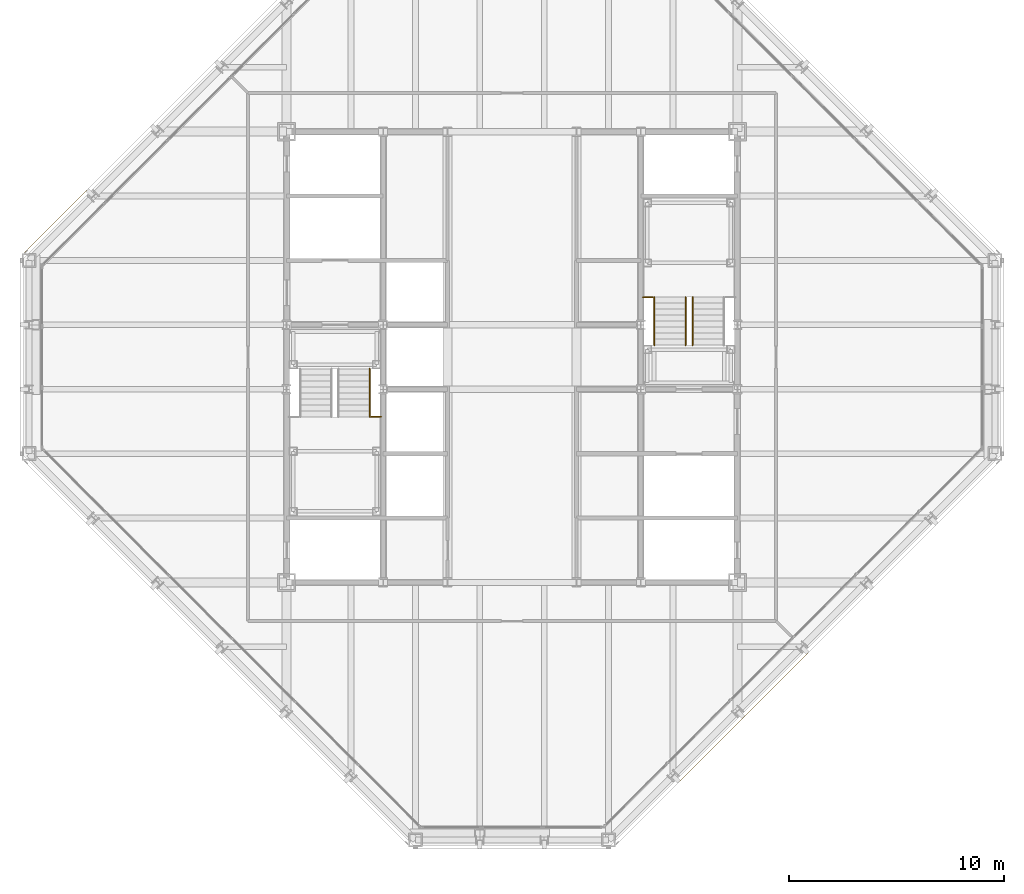
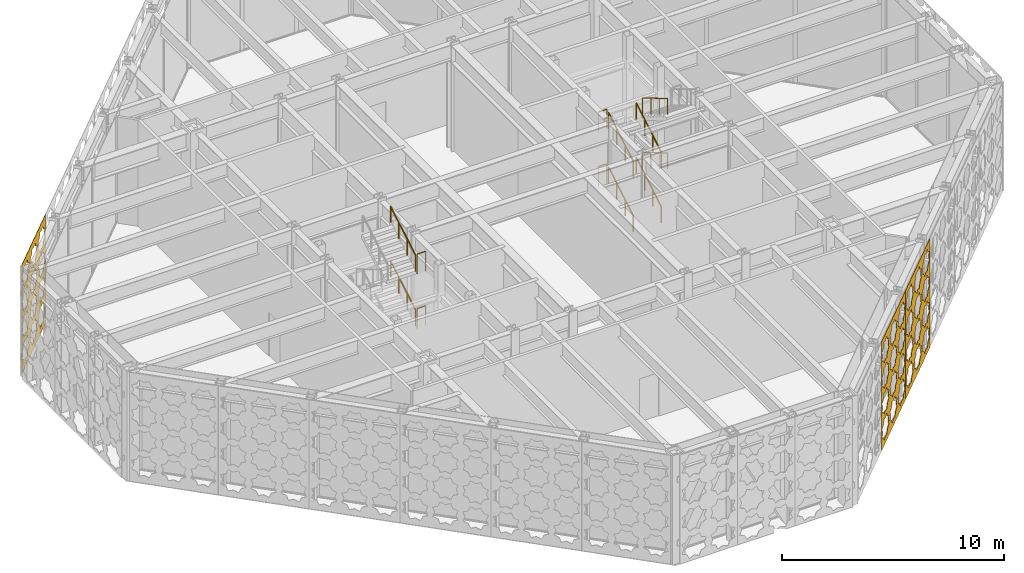
# One storey, part 23 of 28: 12 railings, 3 coverings.
"""IFC4 building model written with IfcOpenShell, lengths in metres."""

from ifc_helpers import new_model, si_unit, direction, frame, origin, origin_2d, place, context, subcontext, project, spatial, polyline, circle, outline, extrude, material, layer, layer_set, type_object, element, save


model = new_model("IFC4")

# Units and contexts
model_context = context("Model", 3, precision=1e-05, world=origin(), true_north=direction((0.0, 1.0)))
body_context = subcontext(model_context, "Body", "Model", "MODEL_VIEW")
ifc_project = project(units=[si_unit("LENGTHUNIT", "METRE"), si_unit("AREAUNIT", "SQUARE_METRE"), si_unit("VOLUMEUNIT", "CUBIC_METRE"), si_unit("PLANEANGLEUNIT", "RADIAN"), si_unit("MASSUNIT", "GRAM", prefix="KILO")], contexts=[model_context])

# Site, building, storey
site_placement = place(None, origin())
site = spatial("IfcSite", under=ifc_project, at=site_placement, CompositionType="ELEMENT")
building_placement = place(site_placement, origin())
building = spatial("IfcBuilding", under=site, at=building_placement, Name="Chuquiago Exchange Tower", CompositionType="ELEMENT")
storey_placement = place(building_placement, frame((0.0, 0.0, 300.0)))
storey = spatial("IfcBuildingStorey", under=building, at=storey_placement, Name="L67", CompositionType="ELEMENT", Elevation=300.0)

# Coverings
ifc_material_1 = material(Name="Anodised aluminium, pale", Category="aluminium")
ifc_layer_1 = layer(ifc_material_1, 0.02001953125)
ifc_layer_set_1 = layer_set([ifc_layer_1], Name="GC4 girih cladding panel 20")
covering_type_1 = type_object("IfcCoveringType", Name="GC4 girih cladding panel 20", PredefinedType="CLADDING", material=ifc_layer_set_1)
covering_1_placement = place(storey_placement, frame((30.286376953125, 2.720703125, 0.0048828125), z_axis=(0.0, 0.0, 1.0), x_axis=(0.707106781187, 0.707106781187, 0.0)))
element("IfcCovering", 1, at=covering_1_placement, inside=storey, type_object=covering_type_1, Name="Girih cladding panel L67 SE 2", PredefinedType="CLADDING", context=body_context, shape_type="SweptSolid", body=[
    extrude(outline(polyline([(0.0, 0.0), (4.232666015625, 0.0), (4.232666015625, 5.990234375), (0.0, 5.990234375), (0.0, 0.0)]), holes=[polyline([(1.2021484375, 0.878662109375), (1.304931640625, 1.127197265625), (1.056640625, 1.22998046875), (0.953857421875, 1.478271484375), (0.70556640625, 1.37548828125), (0.45703125, 1.478271484375), (0.354248046875, 1.22998046875), (0.10595703125, 1.127197265625), (0.208740234375, 0.878662109375), (0.10595703125, 0.63037109375), (0.354248046875, 0.527587890625), (0.45703125, 0.279296875), (0.705322265625, 0.382080078125), (0.953857421875, 0.279296875), (1.056640625, 0.527587890625), (1.304931640625, 0.63037109375), (1.2021484375, 0.878662109375)]), polyline([(2.613037109375, 0.878662109375), (2.7158203125, 1.127197265625), (2.467529296875, 1.22998046875), (2.36474609375, 1.478271484375), (2.116455078125, 1.37548828125), (1.867919921875, 1.478271484375), (1.76513671875, 1.22998046875), (1.516845703125, 1.127197265625), (1.61962890625, 0.878662109375), (1.516845703125, 0.63037109375), (1.76513671875, 0.527587890625), (1.867919921875, 0.279296875), (2.116455078125, 0.382080078125), (2.36474609375, 0.279296875), (2.467529296875, 0.527587890625), (2.7158203125, 0.63037109375), (2.613037109375, 0.878662109375)]), polyline([(4.02392578125, 0.878662109375), (4.126708984375, 1.127197265625), (3.87841796875, 1.22998046875), (3.775634765625, 1.478271484375), (3.527099609375, 1.37548828125), (3.27880859375, 1.478271484375), (3.176025390625, 1.22998046875), (2.927734375, 1.127197265625), (3.030517578125, 0.878662109375), (2.927734375, 0.63037109375), (3.176025390625, 0.527587890625), (3.27880859375, 0.279296875), (3.527099609375, 0.382080078125), (3.775634765625, 0.279296875), (3.87841796875, 0.527587890625), (4.126708984375, 0.63037109375), (4.02392578125, 0.878662109375)]), polyline([(1.2021484375, 2.289794921875), (1.304931640625, 2.5380859375), (1.056640625, 2.640869140625), (0.953857421875, 2.88916015625), (0.70556640625, 2.786376953125), (0.45703125, 2.88916015625), (0.354248046875, 2.640869140625), (0.10595703125, 2.5380859375), (0.208740234375, 2.289794921875), (0.10595703125, 2.041259765625), (0.354248046875, 1.9384765625), (0.45703125, 1.690185546875), (0.705322265625, 1.79296875), (0.953857421875, 1.690185546875), (1.056640625, 1.9384765625), (1.304931640625, 2.041259765625), (1.2021484375, 2.289794921875)]), polyline([(2.613037109375, 2.289794921875), (2.7158203125, 2.5380859375), (2.467529296875, 2.640869140625), (2.36474609375, 2.88916015625), (2.116455078125, 2.786376953125), (1.867919921875, 2.88916015625), (1.76513671875, 2.640869140625), (1.516845703125, 2.5380859375), (1.61962890625, 2.289794921875), (1.516845703125, 2.041259765625), (1.76513671875, 1.9384765625), (1.867919921875, 1.690185546875), (2.116455078125, 1.79296875), (2.36474609375, 1.690185546875), (2.467529296875, 1.9384765625), (2.7158203125, 2.041259765625), (2.613037109375, 2.289794921875)]), polyline([(4.02392578125, 2.289794921875), (4.126708984375, 2.5380859375), (3.87841796875, 2.640869140625), (3.775634765625, 2.88916015625), (3.527099609375, 2.786376953125), (3.27880859375, 2.88916015625), (3.176025390625, 2.640869140625), (2.927734375, 2.5380859375), (3.030517578125, 2.289794921875), (2.927734375, 2.041259765625), (3.176025390625, 1.9384765625), (3.27880859375, 1.690185546875), (3.527099609375, 1.79296875), (3.775634765625, 1.690185546875), (3.87841796875, 1.9384765625), (4.126708984375, 2.041259765625), (4.02392578125, 2.289794921875)]), polyline([(1.2021484375, 3.700439453125), (1.304931640625, 3.948974609375), (1.056640625, 4.0517578125), (0.953857421875, 4.300048828125), (0.70556640625, 4.197265625), (0.45703125, 4.300048828125), (0.354248046875, 4.0517578125), (0.10595703125, 3.948974609375), (0.208740234375, 3.700439453125), (0.10595703125, 3.4521484375), (0.354248046875, 3.349365234375), (0.45703125, 3.10107421875), (0.705322265625, 3.203857421875), (0.953857421875, 3.10107421875), (1.056640625, 3.349365234375), (1.304931640625, 3.4521484375), (1.2021484375, 3.700439453125)]), polyline([(2.613037109375, 3.700439453125), (2.7158203125, 3.948974609375), (2.467529296875, 4.0517578125), (2.36474609375, 4.300048828125), (2.116455078125, 4.197265625), (1.867919921875, 4.300048828125), (1.76513671875, 4.0517578125), (1.516845703125, 3.948974609375), (1.61962890625, 3.700439453125), (1.516845703125, 3.4521484375), (1.76513671875, 3.349365234375), (1.867919921875, 3.10107421875), (2.116455078125, 3.203857421875), (2.36474609375, 3.10107421875), (2.467529296875, 3.349365234375), (2.7158203125, 3.4521484375), (2.613037109375, 3.700439453125)]), polyline([(4.02392578125, 3.700439453125), (4.126708984375, 3.948974609375), (3.87841796875, 4.0517578125), (3.775634765625, 4.300048828125), (3.527099609375, 4.197265625), (3.27880859375, 4.300048828125), (3.176025390625, 4.0517578125), (2.927734375, 3.948974609375), (3.030517578125, 3.700439453125), (2.927734375, 3.4521484375), (3.176025390625, 3.349365234375), (3.27880859375, 3.10107421875), (3.527099609375, 3.203857421875), (3.775634765625, 3.10107421875), (3.87841796875, 3.349365234375), (4.126708984375, 3.4521484375), (4.02392578125, 3.700439453125)]), polyline([(1.2021484375, 5.111572265625), (1.304931640625, 5.35986328125), (1.056640625, 5.462646484375), (0.953857421875, 5.7109375), (0.70556640625, 5.608154296875), (0.45703125, 5.7109375), (0.354248046875, 5.462646484375), (0.10595703125, 5.35986328125), (0.208740234375, 5.111572265625), (0.10595703125, 4.863037109375), (0.354248046875, 4.76025390625), (0.45703125, 4.511962890625), (0.705322265625, 4.61474609375), (0.953857421875, 4.511962890625), (1.056640625, 4.76025390625), (1.304931640625, 4.863037109375), (1.2021484375, 5.111572265625)]), polyline([(2.613037109375, 5.111572265625), (2.7158203125, 5.35986328125), (2.467529296875, 5.462646484375), (2.36474609375, 5.7109375), (2.116455078125, 5.608154296875), (1.867919921875, 5.7109375), (1.76513671875, 5.462646484375), (1.516845703125, 5.35986328125), (1.61962890625, 5.111572265625), (1.516845703125, 4.863037109375), (1.76513671875, 4.76025390625), (1.867919921875, 4.511962890625), (2.116455078125, 4.61474609375), (2.36474609375, 4.511962890625), (2.467529296875, 4.76025390625), (2.7158203125, 4.863037109375), (2.613037109375, 5.111572265625)]), polyline([(4.02392578125, 5.111572265625), (4.126708984375, 5.35986328125), (3.87841796875, 5.462646484375), (3.775634765625, 5.7109375), (3.527099609375, 5.608154296875), (3.27880859375, 5.7109375), (3.176025390625, 5.462646484375), (2.927734375, 5.35986328125), (3.030517578125, 5.111572265625), (2.927734375, 4.863037109375), (3.176025390625, 4.76025390625), (3.27880859375, 4.511962890625), (3.527099609375, 4.61474609375), (3.775634765625, 4.511962890625), (3.87841796875, 4.76025390625), (4.126708984375, 4.863037109375), (4.02392578125, 5.111572265625)])]), frame((0.0, 0.0, 0.0), z_axis=(0.0, -1.0, 0.0), x_axis=(1.0, 0.0, 0.0)), (0.0, 0.0, 1.0), 0.02001953125),
])
covering_2_placement = place(storey_placement, frame((33.286376953125, 5.720703125, 0.0048828125), z_axis=(0.0, 0.0, 1.0), x_axis=(0.707106781187, 0.707106781187, 0.0)))
element("IfcCovering", 2, at=covering_2_placement, inside=storey, type_object=covering_type_1, Name="Girih cladding panel L67 SE 3", PredefinedType="CLADDING", context=body_context, shape_type="SweptSolid", body=[
    extrude(outline(polyline([(0.0, 0.0), (4.232666015625, 0.0), (4.232666015625, 5.990234375), (0.0, 5.990234375), (0.0, 0.0)]), holes=[polyline([(1.2021484375, 0.878662109375), (1.304931640625, 1.127197265625), (1.056640625, 1.22998046875), (0.953857421875, 1.478271484375), (0.70556640625, 1.37548828125), (0.45703125, 1.478271484375), (0.354248046875, 1.22998046875), (0.10595703125, 1.127197265625), (0.208740234375, 0.878662109375), (0.10595703125, 0.63037109375), (0.354248046875, 0.527587890625), (0.45703125, 0.279296875), (0.705322265625, 0.382080078125), (0.953857421875, 0.279296875), (1.056640625, 0.527587890625), (1.304931640625, 0.63037109375), (1.2021484375, 0.878662109375)]), polyline([(2.613037109375, 0.878662109375), (2.7158203125, 1.127197265625), (2.467529296875, 1.22998046875), (2.36474609375, 1.478271484375), (2.116455078125, 1.37548828125), (1.867919921875, 1.478271484375), (1.76513671875, 1.22998046875), (1.516845703125, 1.127197265625), (1.61962890625, 0.878662109375), (1.516845703125, 0.63037109375), (1.76513671875, 0.527587890625), (1.867919921875, 0.279296875), (2.116455078125, 0.382080078125), (2.36474609375, 0.279296875), (2.467529296875, 0.527587890625), (2.7158203125, 0.63037109375), (2.613037109375, 0.878662109375)]), polyline([(4.02392578125, 0.878662109375), (4.126708984375, 1.127197265625), (3.87841796875, 1.22998046875), (3.775634765625, 1.478271484375), (3.527099609375, 1.37548828125), (3.27880859375, 1.478271484375), (3.176025390625, 1.22998046875), (2.927734375, 1.127197265625), (3.030517578125, 0.878662109375), (2.927734375, 0.63037109375), (3.176025390625, 0.527587890625), (3.27880859375, 0.279296875), (3.527099609375, 0.382080078125), (3.775634765625, 0.279296875), (3.87841796875, 0.527587890625), (4.126708984375, 0.63037109375), (4.02392578125, 0.878662109375)]), polyline([(1.2021484375, 2.289794921875), (1.304931640625, 2.5380859375), (1.056640625, 2.640869140625), (0.953857421875, 2.88916015625), (0.70556640625, 2.786376953125), (0.45703125, 2.88916015625), (0.354248046875, 2.640869140625), (0.10595703125, 2.5380859375), (0.208740234375, 2.289794921875), (0.10595703125, 2.041259765625), (0.354248046875, 1.9384765625), (0.45703125, 1.690185546875), (0.705322265625, 1.79296875), (0.953857421875, 1.690185546875), (1.056640625, 1.9384765625), (1.304931640625, 2.041259765625), (1.2021484375, 2.289794921875)]), polyline([(2.613037109375, 2.289794921875), (2.7158203125, 2.5380859375), (2.467529296875, 2.640869140625), (2.36474609375, 2.88916015625), (2.116455078125, 2.786376953125), (1.867919921875, 2.88916015625), (1.76513671875, 2.640869140625), (1.516845703125, 2.5380859375), (1.61962890625, 2.289794921875), (1.516845703125, 2.041259765625), (1.76513671875, 1.9384765625), (1.867919921875, 1.690185546875), (2.116455078125, 1.79296875), (2.36474609375, 1.690185546875), (2.467529296875, 1.9384765625), (2.7158203125, 2.041259765625), (2.613037109375, 2.289794921875)]), polyline([(4.02392578125, 2.289794921875), (4.126708984375, 2.5380859375), (3.87841796875, 2.640869140625), (3.775634765625, 2.88916015625), (3.527099609375, 2.786376953125), (3.27880859375, 2.88916015625), (3.176025390625, 2.640869140625), (2.927734375, 2.5380859375), (3.030517578125, 2.289794921875), (2.927734375, 2.041259765625), (3.176025390625, 1.9384765625), (3.27880859375, 1.690185546875), (3.527099609375, 1.79296875), (3.775634765625, 1.690185546875), (3.87841796875, 1.9384765625), (4.126708984375, 2.041259765625), (4.02392578125, 2.289794921875)]), polyline([(1.2021484375, 3.700439453125), (1.304931640625, 3.948974609375), (1.056640625, 4.0517578125), (0.953857421875, 4.300048828125), (0.70556640625, 4.197265625), (0.45703125, 4.300048828125), (0.354248046875, 4.0517578125), (0.10595703125, 3.948974609375), (0.208740234375, 3.700439453125), (0.10595703125, 3.4521484375), (0.354248046875, 3.349365234375), (0.45703125, 3.10107421875), (0.705322265625, 3.203857421875), (0.953857421875, 3.10107421875), (1.056640625, 3.349365234375), (1.304931640625, 3.4521484375), (1.2021484375, 3.700439453125)]), polyline([(2.613037109375, 3.700439453125), (2.7158203125, 3.948974609375), (2.467529296875, 4.0517578125), (2.36474609375, 4.300048828125), (2.116455078125, 4.197265625), (1.867919921875, 4.300048828125), (1.76513671875, 4.0517578125), (1.516845703125, 3.948974609375), (1.61962890625, 3.700439453125), (1.516845703125, 3.4521484375), (1.76513671875, 3.349365234375), (1.867919921875, 3.10107421875), (2.116455078125, 3.203857421875), (2.36474609375, 3.10107421875), (2.467529296875, 3.349365234375), (2.7158203125, 3.4521484375), (2.613037109375, 3.700439453125)]), polyline([(4.02392578125, 3.700439453125), (4.126708984375, 3.948974609375), (3.87841796875, 4.0517578125), (3.775634765625, 4.300048828125), (3.527099609375, 4.197265625), (3.27880859375, 4.300048828125), (3.176025390625, 4.0517578125), (2.927734375, 3.948974609375), (3.030517578125, 3.700439453125), (2.927734375, 3.4521484375), (3.176025390625, 3.349365234375), (3.27880859375, 3.10107421875), (3.527099609375, 3.203857421875), (3.775634765625, 3.10107421875), (3.87841796875, 3.349365234375), (4.126708984375, 3.4521484375), (4.02392578125, 3.700439453125)]), polyline([(1.2021484375, 5.111572265625), (1.304931640625, 5.35986328125), (1.056640625, 5.462646484375), (0.953857421875, 5.7109375), (0.70556640625, 5.608154296875), (0.45703125, 5.7109375), (0.354248046875, 5.462646484375), (0.10595703125, 5.35986328125), (0.208740234375, 5.111572265625), (0.10595703125, 4.863037109375), (0.354248046875, 4.76025390625), (0.45703125, 4.511962890625), (0.705322265625, 4.61474609375), (0.953857421875, 4.511962890625), (1.056640625, 4.76025390625), (1.304931640625, 4.863037109375), (1.2021484375, 5.111572265625)]), polyline([(2.613037109375, 5.111572265625), (2.7158203125, 5.35986328125), (2.467529296875, 5.462646484375), (2.36474609375, 5.7109375), (2.116455078125, 5.608154296875), (1.867919921875, 5.7109375), (1.76513671875, 5.462646484375), (1.516845703125, 5.35986328125), (1.61962890625, 5.111572265625), (1.516845703125, 4.863037109375), (1.76513671875, 4.76025390625), (1.867919921875, 4.511962890625), (2.116455078125, 4.61474609375), (2.36474609375, 4.511962890625), (2.467529296875, 4.76025390625), (2.7158203125, 4.863037109375), (2.613037109375, 5.111572265625)]), polyline([(4.02392578125, 5.111572265625), (4.126708984375, 5.35986328125), (3.87841796875, 5.462646484375), (3.775634765625, 5.7109375), (3.527099609375, 5.608154296875), (3.27880859375, 5.7109375), (3.176025390625, 5.462646484375), (2.927734375, 5.35986328125), (3.030517578125, 5.111572265625), (2.927734375, 4.863037109375), (3.176025390625, 4.76025390625), (3.27880859375, 4.511962890625), (3.527099609375, 4.61474609375), (3.775634765625, 4.511962890625), (3.87841796875, 4.76025390625), (4.126708984375, 4.863037109375), (4.02392578125, 5.111572265625)])]), frame((0.0, 0.0, 0.0), z_axis=(0.0, -1.0, 0.0), x_axis=(1.0, 0.0, 0.0)), (0.0, 0.0, 1.0), 0.02001953125),
])
ifc_material_2 = material(Name="Anodised aluminium, pale", Category="aluminium")
ifc_layer_2 = layer(ifc_material_2, 0.02001953125)
ifc_layer_set_2 = layer_set([ifc_layer_2], Name="GC7 girih cladding panel 20")
covering_type_2 = type_object("IfcCoveringType", Name="GC7 girih cladding panel 20", PredefinedType="CLADDING", material=ifc_layer_set_2)
covering_3_placement = place(storey_placement, frame((2.713623046875, 30.279296875, 0.0048828125), z_axis=(0.0, 0.0, 1.0), x_axis=(-0.707106781187, -0.707106781187, 0.0)))
element("IfcCovering", 3, at=covering_3_placement, inside=storey, type_object=covering_type_2, Name="Girih cladding panel L67 NW 6", PredefinedType="CLADDING", context=body_context, shape_type="SweptSolid", body=[
    extrude(outline(polyline([(0.0, 0.0), (4.142578125, 0.0), (4.142578125, 5.990234375), (0.0, 5.990234375), (0.0, 0.0)]), holes=[polyline([(1.176513671875, 0.923828125), (1.27734375, 1.166748046875), (1.0341796875, 1.267578125), (0.93359375, 1.510498046875), (0.6904296875, 1.409912109375), (0.447509765625, 1.510498046875), (0.3466796875, 1.267578125), (0.103515625, 1.166748046875), (0.204345703125, 0.923828125), (0.103515625, 0.6806640625), (0.3466796875, 0.580078125), (0.447509765625, 0.3369140625), (0.6904296875, 0.4375), (0.93359375, 0.3369140625), (1.0341796875, 0.580078125), (1.27734375, 0.6806640625), (1.176513671875, 0.923828125)]), polyline([(2.5576171875, 0.923828125), (2.658203125, 1.166748046875), (2.4150390625, 1.267578125), (2.314453125, 1.510498046875), (2.0712890625, 1.409912109375), (1.828369140625, 1.510498046875), (1.7275390625, 1.267578125), (1.484619140625, 1.166748046875), (1.585205078125, 0.923828125), (1.484619140625, 0.6806640625), (1.7275390625, 0.580078125), (1.828369140625, 0.3369140625), (2.0712890625, 0.4375), (2.314453125, 0.3369140625), (2.4150390625, 0.580078125), (2.658203125, 0.6806640625), (2.5576171875, 0.923828125)]), polyline([(3.9384765625, 0.923828125), (4.0390625, 1.166748046875), (3.7958984375, 1.267578125), (3.6953125, 1.510498046875), (3.452392578125, 1.409912109375), (3.209228515625, 1.510498046875), (3.1083984375, 1.267578125), (2.865478515625, 1.166748046875), (2.966064453125, 0.923828125), (2.865478515625, 0.6806640625), (3.1083984375, 0.580078125), (3.209228515625, 0.3369140625), (3.452392578125, 0.4375), (3.6953125, 0.3369140625), (3.7958984375, 0.580078125), (4.0390625, 0.6806640625), (3.9384765625, 0.923828125)]), polyline([(1.176513671875, 2.3046875), (1.27734375, 2.547607421875), (1.0341796875, 2.6484375), (0.93359375, 2.8916015625), (0.6904296875, 2.790771484375), (0.447509765625, 2.8916015625), (0.3466796875, 2.6484375), (0.103515625, 2.547607421875), (0.204345703125, 2.3046875), (0.103515625, 2.0615234375), (0.3466796875, 1.9609375), (0.447509765625, 1.7177734375), (0.6904296875, 1.818603515625), (0.93359375, 1.7177734375), (1.0341796875, 1.9609375), (1.27734375, 2.0615234375), (1.176513671875, 2.3046875)]), polyline([(2.5576171875, 2.3046875), (2.658203125, 2.547607421875), (2.4150390625, 2.6484375), (2.314453125, 2.8916015625), (2.0712890625, 2.790771484375), (1.828369140625, 2.8916015625), (1.7275390625, 2.6484375), (1.484619140625, 2.547607421875), (1.585205078125, 2.3046875), (1.484619140625, 2.0615234375), (1.7275390625, 1.9609375), (1.828369140625, 1.7177734375), (2.0712890625, 1.818603515625), (2.314453125, 1.7177734375), (2.4150390625, 1.9609375), (2.658203125, 2.0615234375), (2.5576171875, 2.3046875)]), polyline([(3.9384765625, 2.3046875), (4.0390625, 2.547607421875), (3.7958984375, 2.6484375), (3.6953125, 2.8916015625), (3.452392578125, 2.790771484375), (3.209228515625, 2.8916015625), (3.1083984375, 2.6484375), (2.865478515625, 2.547607421875), (2.966064453125, 2.3046875), (2.865478515625, 2.0615234375), (3.1083984375, 1.9609375), (3.209228515625, 1.7177734375), (3.452392578125, 1.818603515625), (3.6953125, 1.7177734375), (3.7958984375, 1.9609375), (4.0390625, 2.0615234375), (3.9384765625, 2.3046875)]), polyline([(1.176513671875, 3.685546875), (1.27734375, 3.9287109375), (1.0341796875, 4.029296875), (0.93359375, 4.2724609375), (0.6904296875, 4.171630859375), (0.447509765625, 4.2724609375), (0.3466796875, 4.029296875), (0.103515625, 3.9287109375), (0.204345703125, 3.685546875), (0.103515625, 3.442626953125), (0.3466796875, 3.341796875), (0.447509765625, 3.0986328125), (0.6904296875, 3.199462890625), (0.93359375, 3.0986328125), (1.0341796875, 3.341796875), (1.27734375, 3.442626953125), (1.176513671875, 3.685546875)]), polyline([(2.5576171875, 3.685546875), (2.658203125, 3.9287109375), (2.4150390625, 4.029296875), (2.314453125, 4.2724609375), (2.0712890625, 4.171630859375), (1.828369140625, 4.2724609375), (1.7275390625, 4.029296875), (1.484619140625, 3.9287109375), (1.585205078125, 3.685546875), (1.484619140625, 3.442626953125), (1.7275390625, 3.341796875), (1.828369140625, 3.0986328125), (2.0712890625, 3.199462890625), (2.314453125, 3.0986328125), (2.4150390625, 3.341796875), (2.658203125, 3.442626953125), (2.5576171875, 3.685546875)]), polyline([(3.9384765625, 3.685546875), (4.0390625, 3.9287109375), (3.7958984375, 4.029296875), (3.6953125, 4.2724609375), (3.452392578125, 4.171630859375), (3.209228515625, 4.2724609375), (3.1083984375, 4.029296875), (2.865478515625, 3.9287109375), (2.966064453125, 3.685546875), (2.865478515625, 3.442626953125), (3.1083984375, 3.341796875), (3.209228515625, 3.0986328125), (3.452392578125, 3.199462890625), (3.6953125, 3.0986328125), (3.7958984375, 3.341796875), (4.0390625, 3.442626953125), (3.9384765625, 3.685546875)]), polyline([(1.176513671875, 5.06640625), (1.27734375, 5.3095703125), (1.0341796875, 5.41015625), (0.93359375, 5.6533203125), (0.6904296875, 5.552734375), (0.447509765625, 5.6533203125), (0.3466796875, 5.41015625), (0.103515625, 5.3095703125), (0.204345703125, 5.06640625), (0.103515625, 4.823486328125), (0.3466796875, 4.72265625), (0.447509765625, 4.479736328125), (0.6904296875, 4.580322265625), (0.93359375, 4.479736328125), (1.0341796875, 4.72265625), (1.27734375, 4.823486328125), (1.176513671875, 5.06640625)]), polyline([(2.5576171875, 5.06640625), (2.658203125, 5.3095703125), (2.4150390625, 5.41015625), (2.314453125, 5.6533203125), (2.0712890625, 5.552734375), (1.828369140625, 5.6533203125), (1.7275390625, 5.41015625), (1.484619140625, 5.3095703125), (1.585205078125, 5.06640625), (1.484619140625, 4.823486328125), (1.7275390625, 4.72265625), (1.828369140625, 4.479736328125), (2.0712890625, 4.580322265625), (2.314453125, 4.479736328125), (2.4150390625, 4.72265625), (2.658203125, 4.823486328125), (2.5576171875, 5.06640625)]), polyline([(3.9384765625, 5.06640625), (4.0390625, 5.3095703125), (3.7958984375, 5.41015625), (3.6953125, 5.6533203125), (3.452392578125, 5.552734375), (3.209228515625, 5.6533203125), (3.1083984375, 5.41015625), (2.865478515625, 5.3095703125), (2.966064453125, 5.06640625), (2.865478515625, 4.823486328125), (3.1083984375, 4.72265625), (3.209228515625, 4.479736328125), (3.452392578125, 4.580322265625), (3.6953125, 4.479736328125), (3.7958984375, 4.72265625), (4.0390625, 4.823486328125), (3.9384765625, 5.06640625)])]), frame((0.0, 0.0, 0.0), z_axis=(0.0, -1.0, 0.0), x_axis=(1.0, 0.0, 0.0)), (0.0, 0.0, 1.0), 0.02001953125),
])

# Railings
ifc_material_3 = material(Name="Pale metal guard with safety glass infill", Category="glass")
railing_type_1 = type_object("IfcRailingType", Name="GR1 guard 1100", PredefinedType="GUARDRAIL", material=ifc_material_3)
for number, where, name in (
    (4, (15.945068359375, 19.7099609375, 1.5), "Guard ST1 L67 landing 2"),
    (5, (15.945068359375, 19.7099609375, 4.5), "Guard ST1 L67 landing 4"),
    (6, (28.60009765625, 25.2900390625, 1.5), "Guard ST2 L67 landing 2"),
    (7, (28.60009765625, 25.2900390625, 4.5), "Guard ST2 L67 landing 4"),
):
    element("IfcRailing", number, at=place(storey_placement, frame(where)), inside=storey, type_object=railing_type_1, Name=name, PredefinedType="GUARDRAIL", context=body_context, shape_type="SweptSolid", body=[
        extrude(circle(Radius=0.02392578125, at=origin_2d()), frame((0.0, 0.0, 1.076171875), z_axis=(1.0, 0.0, 0.0), x_axis=(0.0, 1.0, 0.0)), (0.0, 0.0, 1.0), 0.454833984375),
        extrude(circle(Radius=0.02099609375, at=origin_2d()), origin(), (0.0, 0.0, 1.0), 1.052001953125),
        extrude(circle(Radius=0.02099609375, at=origin_2d()), frame((0.454833984375, 0.0, 0.0)), (0.0, 0.0, 1.0), 1.052001953125),
    ])
ifc_material_4 = material(Name="Pale metal handrail", Category="steel")
railing_type_2 = type_object("IfcRailingType", Name="HR1 handrail 900", PredefinedType="HANDRAIL", material=ifc_material_4)
for number, where, name in (
    (8, (15.864990234375, 19.7099609375, 1.666748046875), "Handrail ST1 L67 flight 2"),
    (9, (15.864990234375, 19.7099609375, 4.666748046875), "Handrail ST1 L67 flight 4"),
    (10, (30.5849609375, 23.050048828125, 0.166748046875), "Handrail ST2 L67 flight 1"),
    (11, (29.135009765625, 23.050048828125, 0.166748046875), "Handrail ST2 L67 flight 1"),
):
    element("IfcRailing", number, at=place(storey_placement, frame(where)), inside=storey, type_object=railing_type_2, Name=name, PredefinedType="HANDRAIL", context=body_context, shape_type="SweptSolid", body=[
        extrude(circle(Radius=0.02392578125, at=origin_2d()), frame((0.0, 0.0, 0.8759765625), z_axis=(0.0, 0.859305625298, 0.511462454469), x_axis=(-1.0, 0.0, 0.0)), (0.0, 0.0, 1.0), 2.606689453125),
        extrude(circle(Radius=0.02099609375, at=origin_2d()), origin(), (0.0, 0.0, 1.0), 0.851806640625),
        extrude(circle(Radius=0.02099609375, at=origin_2d()), frame((0.0, 0.74658203125, 0.4443359375)), (0.0, 0.0, 1.0), 0.851806640625),
        extrude(circle(Radius=0.02099609375, at=origin_2d()), frame((0.0, 1.493408203125, 0.888916015625)), (0.0, 0.0, 1.0), 0.851806640625),
        extrude(circle(Radius=0.02099609375, at=origin_2d()), frame((0.0, 2.239990234375, 1.333251953125)), (0.0, 0.0, 1.0), 0.851806640625),
    ])
railing_1_placement = place(storey_placement, frame((30.9150390625, 25.2900390625, 1.666748046875)))
element("IfcRailing", 12, at=railing_1_placement, inside=storey, type_object=railing_type_2, Name="Handrail ST2 L67 flight 2", PredefinedType="HANDRAIL", context=body_context, shape_type="SweptSolid", body=[
    extrude(circle(Radius=0.02392578125, at=origin_2d()), frame((0.0, 0.0, 0.8759765625), z_axis=(0.0, -0.859305625298, 0.511462454469), x_axis=(1.0, 0.0, 0.0)), (0.0, 0.0, 1.0), 2.606689453125),
    extrude(circle(Radius=0.02099609375, at=origin_2d()), origin(), (0.0, 0.0, 1.0), 0.851806640625),
    extrude(circle(Radius=0.02099609375, at=origin_2d()), frame((0.0, -0.74658203125, 0.4443359375)), (0.0, 0.0, 1.0), 0.851806640625),
    extrude(circle(Radius=0.02099609375, at=origin_2d()), frame((0.0, -1.493408203125, 0.888916015625)), (0.0, 0.0, 1.0), 0.851806640625),
    extrude(circle(Radius=0.02099609375, at=origin_2d()), frame((0.0, -2.239990234375, 1.333251953125)), (0.0, 0.0, 1.0), 0.851806640625),
])
for number, where, name in (
    (13, (30.5849609375, 23.050048828125, 3.166748046875), "Handrail ST2 L67 flight 3"),
    (14, (29.135009765625, 23.050048828125, 3.166748046875), "Handrail ST2 L67 flight 3"),
):
    element("IfcRailing", number, at=place(storey_placement, frame(where)), inside=storey, type_object=railing_type_2, Name=name, PredefinedType="HANDRAIL", context=body_context, shape_type="SweptSolid", body=[
        extrude(circle(Radius=0.02392578125, at=origin_2d()), frame((0.0, 0.0, 0.8759765625), z_axis=(0.0, 0.859305625298, 0.511462454469), x_axis=(-1.0, 0.0, 0.0)), (0.0, 0.0, 1.0), 2.606689453125),
        extrude(circle(Radius=0.02099609375, at=origin_2d()), origin(), (0.0, 0.0, 1.0), 0.851806640625),
        extrude(circle(Radius=0.02099609375, at=origin_2d()), frame((0.0, 0.74658203125, 0.4443359375)), (0.0, 0.0, 1.0), 0.851806640625),
        extrude(circle(Radius=0.02099609375, at=origin_2d()), frame((0.0, 1.493408203125, 0.888916015625)), (0.0, 0.0, 1.0), 0.851806640625),
        extrude(circle(Radius=0.02099609375, at=origin_2d()), frame((0.0, 2.239990234375, 1.333251953125)), (0.0, 0.0, 1.0), 0.851806640625),
    ])
railing_2_placement = place(storey_placement, frame((30.9150390625, 25.2900390625, 4.666748046875)))
element("IfcRailing", 15, at=railing_2_placement, inside=storey, type_object=railing_type_2, Name="Handrail ST2 L67 flight 4", PredefinedType="HANDRAIL", context=body_context, shape_type="SweptSolid", body=[
    extrude(circle(Radius=0.02392578125, at=origin_2d()), frame((0.0, 0.0, 0.8759765625), z_axis=(0.0, -0.859305625298, 0.511462454469), x_axis=(1.0, 0.0, 0.0)), (0.0, 0.0, 1.0), 2.606689453125),
    extrude(circle(Radius=0.02099609375, at=origin_2d()), origin(), (0.0, 0.0, 1.0), 0.851806640625),
    extrude(circle(Radius=0.02099609375, at=origin_2d()), frame((0.0, -0.74658203125, 0.4443359375)), (0.0, 0.0, 1.0), 0.851806640625),
    extrude(circle(Radius=0.02099609375, at=origin_2d()), frame((0.0, -1.493408203125, 0.888916015625)), (0.0, 0.0, 1.0), 0.851806640625),
    extrude(circle(Radius=0.02099609375, at=origin_2d()), frame((0.0, -2.239990234375, 1.333251953125)), (0.0, 0.0, 1.0), 0.851806640625),
])

save(model, "model.ifc")
